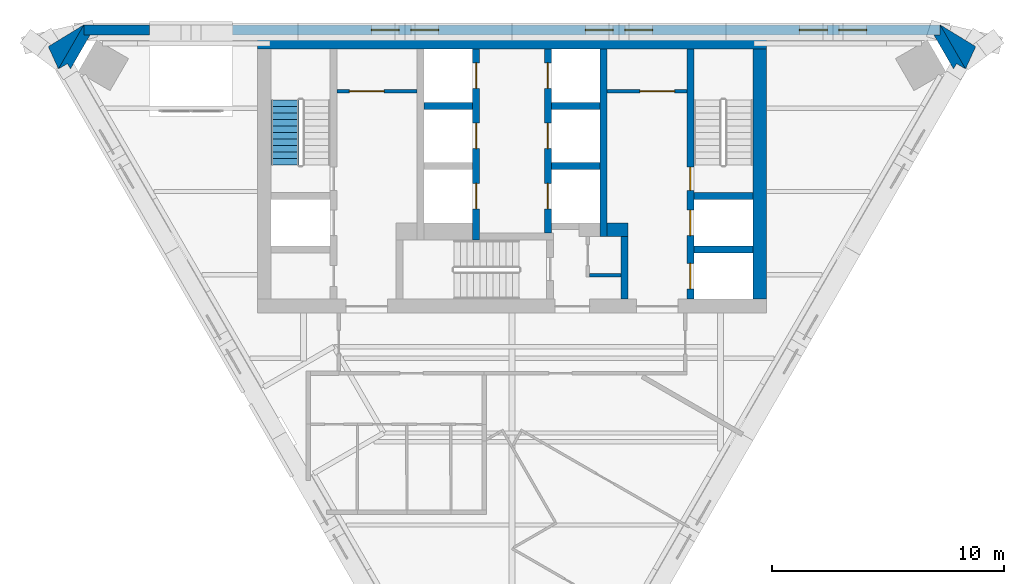
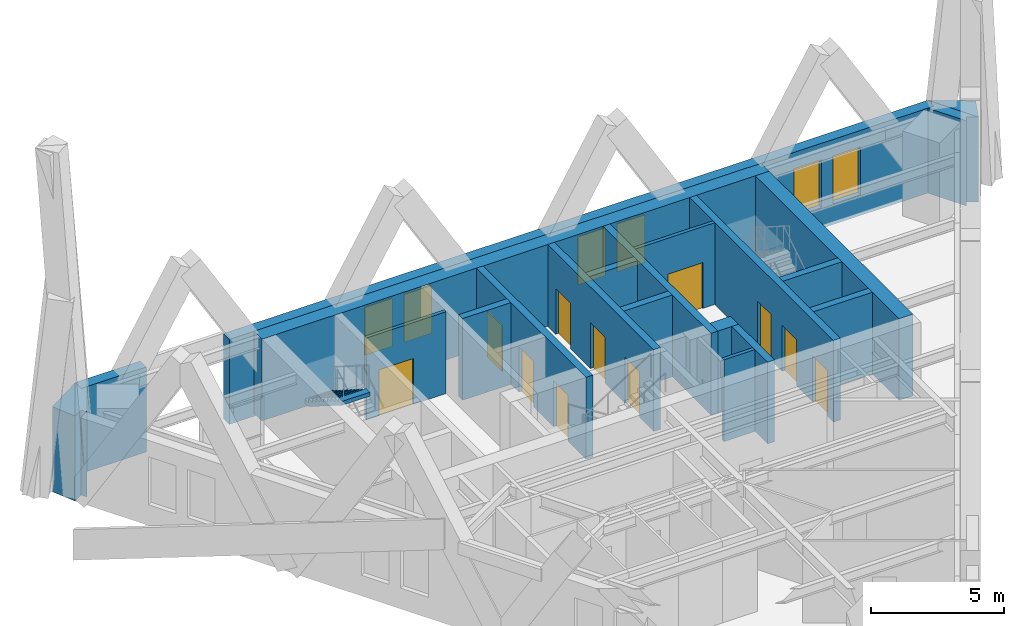
# One storey, part 6 of 9: 22 walls, 11 doors, 6 windows, 1 stair flight, 17 openings, 1 element without a shape of its own.
"""IFC4 building model written with IfcOpenShell, lengths in metres."""

import ifcopenshell
import ifcopenshell.guid

model = None  # the IFC model being written
_history = None  # IfcOwnerHistory: only IFC2X3 demands one
_inside = {}  # id of a spatial element -> (the spatial element, [elements in it])
_under = {}  # id of a project, library or spatial element -> (it, [spatial elements below it])
_declared = {}  # id of a project -> (the project, [libraries it declares])
_typed = {}  # id of a type object -> (the type object, [elements of that type])
_made_of = {}  # id of a material, layer set ... -> (it, [elements and type objects made of it])


def new_model(schema):
    """Start an empty IFC model of exactly this schema.

    Asked for "IFC4X3", IfcOpenShell would pick the latest addendum, in which some entities
    have other attributes; the version numbers below select the first issue.
    IFC2X3 requires an IfcOwnerHistory on every rooted entity: one is made here for all.
    """
    global model, _history
    if schema == "IFC4X3":
        model = ifcopenshell.file(schema_version=(4, 3, 0, 0))
    else:
        model = ifcopenshell.file(schema=schema)
    _inside.clear()
    _under.clear()
    _declared.clear()
    _typed.clear()
    _made_of.clear()
    _history = None
    if model.schema == "IFC2X3":
        org = make("IfcOrganization", Name="unknown")
        user = make(
            "IfcPersonAndOrganization",
            ThePerson=make("IfcPerson", FamilyName="unknown"),
            TheOrganization=org,
        )
        app = make(
            "IfcApplication",
            ApplicationDeveloper=org,
            Version="unknown",
            ApplicationFullName="unknown",
            ApplicationIdentifier="unknown",
        )
        _history = make(
            "IfcOwnerHistory",
            OwningUser=user,
            OwningApplication=app,
            ChangeAction="ADDED",
            CreationDate=0,
        )
    return model


def make(cls, **values):
    """One entity of the class cls with the attributes given. An attribute that is None is left unset."""
    return model.create_entity(
        cls, **{name: value for name, value in values.items() if value is not None}
    )


def rooted(cls, **values):
    """An entity with a GlobalId (a new one), such as an element, a storey or a relation."""
    return make(cls, GlobalId=ifcopenshell.guid.new(), OwnerHistory=_history, **values)


def si_unit(unit_type, name, prefix=None):
    """IfcSIUnit, for example si_unit("LENGTHUNIT", "METRE", prefix="MILLI")."""
    return make("IfcSIUnit", UnitType=unit_type, Prefix=prefix, Name=name)


def assignment(units):
    """IfcUnitAssignment: the units of a project."""
    return None if units is None else make("IfcUnitAssignment", Units=units)


def point(xyz):
    """IfcCartesianPoint."""
    return None if xyz is None else make("IfcCartesianPoint", Coordinates=xyz)


def direction(xyz):
    """IfcDirection."""
    return None if xyz is None else make("IfcDirection", DirectionRatios=xyz)


def frame(location, z_axis=None, x_axis=None):
    """IfcAxis2Placement3D, a coordinate frame: its origin and axes. An axis left out is left unset."""
    return make(
        "IfcAxis2Placement3D",
        Location=point(location),
        Axis=direction(z_axis),
        RefDirection=direction(x_axis),
    )


def frame_2d(location, x_axis=None):
    """IfcAxis2Placement2D, a coordinate frame in the plane: its origin and x axis."""
    return make(
        "IfcAxis2Placement2D", Location=point(location), RefDirection=direction(x_axis)
    )


def origin():
    """The frame at (0, 0, 0) with its axes left unset."""
    return frame((0.0, 0.0, 0.0))


def place(relative_to, where):
    """IfcLocalPlacement: puts the frame where relative to a parent placement (None: the world)."""
    return make(
        "IfcLocalPlacement", PlacementRelTo=relative_to, RelativePlacement=where
    )


def context(
    kind, dimensions, precision=None, world=None, true_north=None, identifier=None
):
    """IfcGeometricRepresentationContext, for example the 3D "Model" context."""
    return make(
        "IfcGeometricRepresentationContext",
        ContextIdentifier=identifier,
        ContextType=kind,
        CoordinateSpaceDimension=dimensions,
        Precision=precision,
        WorldCoordinateSystem=world,
        TrueNorth=true_north,
    )


def subcontext(parent, identifier, kind, view, scale=None):
    """IfcGeometricRepresentationSubContext, for example "Body" below "Model"."""
    return make(
        "IfcGeometricRepresentationSubContext",
        ContextIdentifier=identifier,
        ContextType=kind,
        ParentContext=parent,
        TargetScale=scale,
        TargetView=view,
    )


def project(units=None, contexts=None):
    """IfcProject with its units and contexts."""
    return rooted(
        "IfcProject",
        Name="project",
        RepresentationContexts=contexts,
        UnitsInContext=assignment(units),
    )


def spatial(cls, under=None, at=None, **own):
    """A site, building, storey or space (cls), placed at a placement, below another one or the project."""
    s = rooted(cls, ObjectPlacement=at, **own)
    if under is not None:
        _under.setdefault(under.id(), (under, []))[1].append(s)
    return s


def polyline(points):
    """IfcPolyline through the points."""
    return make("IfcPolyline", Points=[point(p) for p in points])


def profile(cls, at=None, kind="AREA", **sizes):
    """A parametric profile (cls). Its sizes go by their IFC names, for example OverallWidth=200.0."""
    return make(cls, ProfileType=kind, Position=at, **sizes)


def rectangle(**sizes):
    """IfcRectangleProfileDef."""
    return profile("IfcRectangleProfileDef", **sizes)


def outline(outer, holes=None, kind="AREA"):
    """IfcArbitraryClosedProfileDef: a profile drawn as a closed curve; with holes, ...WithVoids."""
    if holes is None:
        return make("IfcArbitraryClosedProfileDef", ProfileType=kind, OuterCurve=outer)
    return make(
        "IfcArbitraryProfileDefWithVoids",
        ProfileType=kind,
        OuterCurve=outer,
        InnerCurves=holes,
    )


def extrude(swept, where, along, depth):
    """IfcExtrudedAreaSolid: the profile swept, set in the frame where, extruded along a direction by depth."""
    return make(
        "IfcExtrudedAreaSolid",
        SweptArea=swept,
        Position=where,
        ExtrudedDirection=direction(along),
        Depth=depth,
    )


def shape(context_of_items, identifier, shape_type, items):
    """IfcShapeRepresentation: the items that make up one representation, for example the "Body"."""
    return make(
        "IfcShapeRepresentation",
        ContextOfItems=context_of_items,
        RepresentationIdentifier=identifier,
        RepresentationType=shape_type,
        Items=items,
    )


def material(Name=None, Category=None):
    """IfcMaterial."""
    return make("IfcMaterial", Name=Name, Category=Category)


def layer(
    of_material, thickness, ventilated=None, Name=None, Category=None, Priority=None
):
    """IfcMaterialLayer: one layer of a wall or slab, of a material (None: an air gap)."""
    return make(
        "IfcMaterialLayer",
        Material=of_material,
        LayerThickness=thickness,
        IsVentilated=ventilated,
        Name=Name,
        Category=Category,
        Priority=Priority,
    )


def layer_set(layers, Name=None):
    """IfcMaterialLayerSet."""
    return make("IfcMaterialLayerSet", MaterialLayers=layers, LayerSetName=Name)


def made_of(thing, what):
    """Note that an element or type object is made of a material, layer set ...; save() writes the relation."""
    if what is not None:
        _made_of.setdefault(what.id(), (what, []))[1].append(thing)
    return thing


def type_object(cls, material=None, **own):
    """A type object (cls), such as IfcWallType, which elements share."""
    return made_of(rooted(cls, **own), material)


def element(
    cls,
    number,
    at=None,
    inside=None,
    cuts=None,
    type_object=None,
    material=None,
    context=None,
    identifier="Body",
    shape_type=None,
    held_by="IfcProductDefinitionShape",
    body=None,
    shapes=None,
    **own,
):
    """One element of the class cls, such as IfcWall. Its Tag is "e" and its number.

    at: its placement. inside: the storey or other place that contains it. cuts: it is an
    opening in that element (IfcRelVoidsElement). A single representation is given by context,
    identifier, shape_type and body (its items); several are given by shapes. held_by: the class
    of the entity that holds the representations. save() writes the other relations.
    """
    e = rooted(cls, Tag="e%d" % number, ObjectPlacement=at, **own)
    if body is not None:
        shapes = [shape(context, identifier, shape_type, body)]
    if shapes is not None:
        e.Representation = make(held_by, Representations=shapes)
    if inside is not None:
        _inside.setdefault(inside.id(), (inside, []))[1].append(e)
    if cuts is not None:
        rooted(
            "IfcRelVoidsElement", RelatingBuildingElement=cuts, RelatedOpeningElement=e
        )
    if type_object is not None:
        _typed.setdefault(type_object.id(), (type_object, []))[1].append(e)
    return made_of(e, material)


def fill(opening, filler):
    """IfcRelFillsElement: the door or window that sits in an opening."""
    return rooted(
        "IfcRelFillsElement",
        RelatingOpeningElement=opening,
        RelatedBuildingElement=filler,
    )


def aggregate(whole, parts):
    """IfcRelAggregates: a whole, such as a stair, and the parts it consists of."""
    return rooted("IfcRelAggregates", RelatingObject=whole, RelatedObjects=parts)


def save(model, path):
    """Write the relations noted so far, then the file.

    IfcRelAggregates (storeys below a building ...), IfcRelContainedInSpatialStructure (elements
    in a storey), IfcRelDefinesByType, IfcRelAssociatesMaterial and IfcRelDeclares: one each for
    every whole, place, type object, material and project.
    """
    for whole, parts in _under.values():
        aggregate(whole, parts)
    for where, things in _inside.values():
        rooted(
            "IfcRelContainedInSpatialStructure",
            RelatedElements=things,
            RelatingStructure=where,
        )
    for kind, things in _typed.values():
        rooted("IfcRelDefinesByType", RelatedObjects=things, RelatingType=kind)
    for what, things in _made_of.values():
        rooted("IfcRelAssociatesMaterial", RelatedObjects=things, RelatingMaterial=what)
    for by, libraries in _declared.values():
        rooted("IfcRelDeclares", RelatingContext=by, RelatedDefinitions=libraries)
    model.write(path)


model = new_model("IFC4")

# Units and contexts
model_context = context("Model", 3, precision=1e-05, world=origin(), true_north=direction((0.0, 1.0)))
body_context = subcontext(model_context, "Body", "Model", "MODEL_VIEW")
ifc_project = project(units=[si_unit("LENGTHUNIT", "METRE"), si_unit("AREAUNIT", "SQUARE_METRE"), si_unit("VOLUMEUNIT", "CUBIC_METRE"), si_unit("PLANEANGLEUNIT", "RADIAN"), si_unit("MASSUNIT", "GRAM", prefix="KILO")], contexts=[model_context])

# Site, building, storey
site_placement = place(None, origin())
site = spatial("IfcSite", under=ifc_project, at=site_placement, CompositionType="ELEMENT")
building_placement = place(site_placement, origin())
building = spatial("IfcBuilding", under=site, at=building_placement, Name="Aloe Facet Convention Tower", CompositionType="ELEMENT")
storey_placement = place(building_placement, frame((0.0, 0.0, 254.300048828125)))
storey = spatial("IfcBuildingStorey", under=building, at=storey_placement, Name="L62", CompositionType="ELEMENT", Elevation=254.300048828125)

# Wall, opening, door
ifc_material_1 = material(Name="Concrete blockwork partition", Category="masonry")
ifc_layer_1 = layer(ifc_material_1, 0.14990234375)
ifc_layer_set_1 = layer_set([ifc_layer_1], Name="CR-W-PART150")
wall_type_1 = type_object("IfcWallType", Name="CR-W-PART150", PredefinedType="PARTITIONING", material=ifc_layer_set_1)
wall_1_placement = place(storey_placement, frame((72.449951171875, 132.125, 0.0), z_axis=(0.0, 0.0, 1.0), x_axis=(1.0, 0.0, 0.0)))
wall_1 = element("IfcWall", 1, at=wall_1_placement, inside=storey, type_object=wall_type_1, Name="Core partition L62-007", PredefinedType="PARTITIONING", context=body_context, shape_type="SweptSolid", body=[
    extrude(rectangle(XDim=3.449951171875, YDim=0.14990234375, at=frame_2d((1.72509765625, 0.0))), origin(), (0.0, 0.0, 1.0), 3.75),
])
opening_1_placement = place(wall_1_placement, frame((0.52490234375, 0.0, 0.0)))
opening_1 = element("IfcOpeningElement", 2, at=opening_1_placement, cuts=wall_1, Name="Opening L62-CD14", PredefinedType="OPENING", context=body_context, shape_type="SweptSolid", body=[
    extrude(rectangle(XDim=1.5, YDim=2.10009765625, at=frame_2d((0.75, 1.050048828125))), frame((0.0, 0.0849609375, 0.0), z_axis=(0.0, -1.0, 0.0), x_axis=(1.0, 0.0, 0.0)), (0.0, 0.0, 1.0), 0.169921875),
])
ifc_material_2 = material(Name="Steel fire-resisting door set FD60", Category="steel")
door_type_1 = type_object("IfcDoorType", Name="CR-D-REFUGE-1500-FD60-DD", OperationType="DOUBLE_DOOR_DOUBLE_SWING", PredefinedType="DOOR", material=ifc_material_2)
door_1_placement = place(opening_1_placement, origin())
door_1 = element("IfcDoor", 3, at=door_1_placement, inside=storey, type_object=door_type_1, Name="Core door L62-CD14", OperationType="DOUBLE_DOOR_DOUBLE_SWING", OverallHeight=2.10009765625, OverallWidth=1.5, PredefinedType="DOOR", context=body_context, shape_type="SweptSolid", body=[
    extrude(rectangle(XDim=1.5, YDim=2.10009765625, at=frame_2d((0.75, 1.050048828125))), frame((0.0, 0.02490234375, 0.0), z_axis=(0.0, -1.0, 0.0), x_axis=(1.0, 0.0, 0.0)), (0.0, 0.0, 1.0), 0.050048828125),
])
fill(opening_1, door_1)

# Wall
wall_2_placement = place(storey_placement, frame((83.35009765625, 124.175048828125, 0.0), z_axis=(0.0, 0.0, 1.0), x_axis=(1.0, 0.0, 0.0)))
element("IfcWall", 4, at=wall_2_placement, inside=storey, type_object=wall_type_1, Name="Core partition L62-023", PredefinedType="PARTITIONING", context=body_context, shape_type="SweptSolid", body=[
    extrude(rectangle(XDim=1.349853515625, YDim=0.14990234375, at=frame_2d((0.6748046875, 0.0))), origin(), (0.0, 0.0, 1.0), 3.75),
])

# Wall, opening, door
wall_3_placement = place(storey_placement, frame((84.10009765625, 132.125, 0.0), z_axis=(0.0, 0.0, 1.0), x_axis=(1.0, 0.0, 0.0)))
wall_3 = element("IfcWall", 5, at=wall_3_placement, inside=storey, type_object=wall_type_1, Name="Core partition L62-025", PredefinedType="PARTITIONING", context=body_context, shape_type="SweptSolid", body=[
    extrude(rectangle(XDim=3.449951171875, YDim=0.14990234375, at=frame_2d((1.72509765625, 0.0))), origin(), (0.0, 0.0, 1.0), 3.75),
])
opening_2_placement = place(wall_3_placement, frame((1.425048828125, 0.0, 0.0)))
opening_2 = element("IfcOpeningElement", 6, at=opening_2_placement, cuts=wall_3, Name="Opening L62-CD13", PredefinedType="OPENING", context=body_context, shape_type="SweptSolid", body=[
    extrude(rectangle(XDim=1.5, YDim=2.10009765625, at=frame_2d((0.75, 1.050048828125))), frame((0.0, 0.0849609375, 0.0), z_axis=(0.0, -1.0, 0.0), x_axis=(1.0, 0.0, 0.0)), (0.0, 0.0, 1.0), 0.169921875),
])
door_2_placement = place(opening_2_placement, origin())
door_2 = element("IfcDoor", 7, at=door_2_placement, inside=storey, type_object=door_type_1, Name="Core door L62-CD13", OperationType="DOUBLE_DOOR_DOUBLE_SWING", OverallHeight=2.10009765625, OverallWidth=1.5, PredefinedType="DOOR", context=body_context, shape_type="SweptSolid", body=[
    extrude(rectangle(XDim=1.5, YDim=2.10009765625, at=frame_2d((0.75, 1.050048828125))), frame((0.0, 0.02490234375, 0.0), z_axis=(0.0, -1.0, 0.0), x_axis=(1.0, 0.0, 0.0)), (0.0, 0.0, 1.0), 0.050048828125),
])
fill(opening_2, door_2)

# Wall
ifc_material_3 = material(Name="Concrete C50/60", Category="concrete")
ifc_layer_2 = layer(ifc_material_3, 0.300048828125)
ifc_layer_set_2 = layer_set([ifc_layer_2], Name="CR-W-RC300-C5060")
wall_type_2 = type_object("IfcWallType", Name="CR-W-RC300-C5060", PredefinedType="SOLIDWALL", material=ifc_layer_set_2)
wall_4_placement = place(storey_placement, frame((76.199951171875, 131.5, 0.0), z_axis=(0.0, 0.0, 1.0), x_axis=(1.0, 0.0, 0.0)))
element("IfcWall", 8, at=wall_4_placement, inside=storey, type_object=wall_type_2, Name="Core wall L62-011", PredefinedType="SOLIDWALL", context=body_context, shape_type="SweptSolid", body=[
    extrude(rectangle(XDim=2.10009765625, YDim=0.300048828125, at=frame_2d((1.050048828125, 0.0))), origin(), (0.0, 0.0, 1.0), 3.75),
])

# Wall, openings, doors
wall_5_placement = place(storey_placement, frame((78.449951171875, 133.949951171875, 0.0), z_axis=(0.0, 0.0, 1.0), x_axis=(0.0, -1.0, 0.0)))
wall_5 = element("IfcWall", 9, at=wall_5_placement, inside=storey, type_object=wall_type_2, Name="Core wall L62-014", PredefinedType="SOLIDWALL", context=body_context, shape_type="SweptSolid", body=[
    extrude(rectangle(XDim=8.25, YDim=0.300048828125, at=frame_2d((4.125, 0.0))), origin(), (0.0, 0.0, 1.0), 3.75),
])
opening_3_placement = place(wall_5_placement, frame((0.60009765625, 0.0, 0.0)))
opening_3 = element("IfcOpeningElement", 10, at=opening_3_placement, cuts=wall_5, Name="Opening LD-B1-L62", PredefinedType="OPENING", context=body_context, shape_type="SweptSolid", body=[
    extrude(rectangle(XDim=1.10009765625, YDim=2.10009765625, at=frame_2d((0.550048828125, 1.050048828125))), frame((0.0, 0.16015625, 0.0), z_axis=(0.0, -1.0, 0.0), x_axis=(1.0, 0.0, 0.0)), (0.0, 0.0, 1.0), 0.320068359375),
])
opening_4_placement = place(wall_5_placement, frame((3.199951171875, 0.0, 0.0)))
opening_4 = element("IfcOpeningElement", 11, at=opening_4_placement, cuts=wall_5, Name="Opening LD-B2-L62", PredefinedType="OPENING", context=body_context, shape_type="SweptSolid", body=[
    extrude(rectangle(XDim=1.10009765625, YDim=2.10009765625, at=frame_2d((0.550048828125, 1.050048828125))), frame((0.0, 0.16015625, 0.0), z_axis=(0.0, -1.0, 0.0), x_axis=(1.0, 0.0, 0.0)), (0.0, 0.0, 1.0), 0.320068359375),
])
opening_5_placement = place(wall_5_placement, frame((5.800048828125, 0.0, 0.0)))
opening_5 = element("IfcOpeningElement", 12, at=opening_5_placement, cuts=wall_5, Name="Opening LD-B3-L62", PredefinedType="OPENING", context=body_context, shape_type="SweptSolid", body=[
    extrude(rectangle(XDim=1.10009765625, YDim=2.10009765625, at=frame_2d((0.550048828125, 1.050048828125))), frame((0.0, 0.16015625, 0.0), z_axis=(0.0, -1.0, 0.0), x_axis=(1.0, 0.0, 0.0)), (0.0, 0.0, 1.0), 0.320068359375),
])
ifc_material_4 = material(Name="Stainless steel sliding landing door", Category="steel")
door_type_2 = type_object("IfcDoorType", Name="CR-LD-1100-FD60-RIGHT", OperationType="SLIDING_TO_RIGHT", PredefinedType="DOOR", material=ifc_material_4)
door_3_placement = place(opening_3_placement, origin())
door_3 = element("IfcDoor", 13, at=door_3_placement, inside=storey, type_object=door_type_2, Name="Landing door B1 L62", OperationType="SLIDING_TO_RIGHT", OverallHeight=2.10009765625, OverallWidth=1.10009765625, PredefinedType="DOOR", context=body_context, shape_type="SweptSolid", body=[
    extrude(rectangle(XDim=1.10009765625, YDim=2.10009765625, at=frame_2d((0.550048828125, 1.050048828125))), frame((0.0, 0.02490234375, 0.0), z_axis=(0.0, -1.0, 0.0), x_axis=(1.0, 0.0, 0.0)), (0.0, 0.0, 1.0), 0.050048828125),
])
fill(opening_3, door_3)
door_4_placement = place(opening_4_placement, origin())
door_4 = element("IfcDoor", 14, at=door_4_placement, inside=storey, type_object=door_type_2, Name="Landing door B2 L62", OperationType="SLIDING_TO_RIGHT", OverallHeight=2.10009765625, OverallWidth=1.10009765625, PredefinedType="DOOR", context=body_context, shape_type="SweptSolid", body=[
    extrude(rectangle(XDim=1.10009765625, YDim=2.10009765625, at=frame_2d((0.550048828125, 1.050048828125))), frame((0.0, 0.02490234375, 0.0), z_axis=(0.0, -1.0, 0.0), x_axis=(1.0, 0.0, 0.0)), (0.0, 0.0, 1.0), 0.050048828125),
])
fill(opening_4, door_4)
door_5_placement = place(opening_5_placement, origin())
door_5 = element("IfcDoor", 15, at=door_5_placement, inside=storey, type_object=door_type_2, Name="Landing door B3 L62", OperationType="SLIDING_TO_RIGHT", OverallHeight=2.10009765625, OverallWidth=1.10009765625, PredefinedType="DOOR", context=body_context, shape_type="SweptSolid", body=[
    extrude(rectangle(XDim=1.10009765625, YDim=2.10009765625, at=frame_2d((0.550048828125, 1.050048828125))), frame((0.0, 0.02490234375, 0.0), z_axis=(0.0, -1.0, 0.0), x_axis=(1.0, 0.0, 0.0)), (0.0, 0.0, 1.0), 0.050048828125),
])
fill(opening_5, door_5)

wall_6_placement = place(storey_placement, frame((81.550048828125, 133.949951171875, 0.0), z_axis=(0.0, 0.0, 1.0), x_axis=(0.0, -1.0, 0.0)))
wall_6 = element("IfcWall", 16, at=wall_6_placement, inside=storey, type_object=wall_type_2, Name="Core wall L62-016", PredefinedType="SOLIDWALL", context=body_context, shape_type="SweptSolid", body=[
    extrude(rectangle(XDim=7.949951171875, YDim=0.300048828125, at=frame_2d((3.97509765625, 0.0))), origin(), (0.0, 0.0, 1.0), 3.75),
])
opening_6_placement = place(wall_6_placement, frame((0.60009765625, 0.0, 0.0)))
opening_6 = element("IfcOpeningElement", 17, at=opening_6_placement, cuts=wall_6, Name="Opening LD-B4-L62", PredefinedType="OPENING", context=body_context, shape_type="SweptSolid", body=[
    extrude(rectangle(XDim=1.10009765625, YDim=2.10009765625, at=frame_2d((0.550048828125, 1.050048828125))), frame((0.0, 0.16015625, 0.0), z_axis=(0.0, -1.0, 0.0), x_axis=(1.0, 0.0, 0.0)), (0.0, 0.0, 1.0), 0.320068359375),
])
opening_7_placement = place(wall_6_placement, frame((3.199951171875, 0.0, 0.0)))
opening_7 = element("IfcOpeningElement", 18, at=opening_7_placement, cuts=wall_6, Name="Opening LD-B5-L62", PredefinedType="OPENING", context=body_context, shape_type="SweptSolid", body=[
    extrude(rectangle(XDim=1.10009765625, YDim=2.10009765625, at=frame_2d((0.550048828125, 1.050048828125))), frame((0.0, 0.16015625, 0.0), z_axis=(0.0, -1.0, 0.0), x_axis=(1.0, 0.0, 0.0)), (0.0, 0.0, 1.0), 0.320068359375),
])
opening_8_placement = place(wall_6_placement, frame((5.800048828125, 0.0, 0.0)))
opening_8 = element("IfcOpeningElement", 19, at=opening_8_placement, cuts=wall_6, Name="Opening LD-B6-L62", PredefinedType="OPENING", context=body_context, shape_type="SweptSolid", body=[
    extrude(rectangle(XDim=1.10009765625, YDim=2.10009765625, at=frame_2d((0.550048828125, 1.050048828125))), frame((0.0, 0.16015625, 0.0), z_axis=(0.0, -1.0, 0.0), x_axis=(1.0, 0.0, 0.0)), (0.0, 0.0, 1.0), 0.320068359375),
])
ifc_material_5 = material(Name="Stainless steel sliding landing door", Category="steel")
door_type_3 = type_object("IfcDoorType", Name="CR-LD-1100-FD60-_LEFT", OperationType="SLIDING_TO_LEFT", PredefinedType="DOOR", material=ifc_material_5)
door_6_placement = place(opening_6_placement, origin())
door_6 = element("IfcDoor", 20, at=door_6_placement, inside=storey, type_object=door_type_3, Name="Landing door B4 L62", OperationType="SLIDING_TO_LEFT", OverallHeight=2.10009765625, OverallWidth=1.10009765625, PredefinedType="DOOR", context=body_context, shape_type="SweptSolid", body=[
    extrude(rectangle(XDim=1.10009765625, YDim=2.10009765625, at=frame_2d((0.550048828125, 1.050048828125))), frame((0.0, 0.02490234375, 0.0), z_axis=(0.0, -1.0, 0.0), x_axis=(1.0, 0.0, 0.0)), (0.0, 0.0, 1.0), 0.050048828125),
])
fill(opening_6, door_6)
door_7_placement = place(opening_7_placement, origin())
door_7 = element("IfcDoor", 21, at=door_7_placement, inside=storey, type_object=door_type_3, Name="Landing door B5 L62", OperationType="SLIDING_TO_LEFT", OverallHeight=2.10009765625, OverallWidth=1.10009765625, PredefinedType="DOOR", context=body_context, shape_type="SweptSolid", body=[
    extrude(rectangle(XDim=1.10009765625, YDim=2.10009765625, at=frame_2d((0.550048828125, 1.050048828125))), frame((0.0, 0.02490234375, 0.0), z_axis=(0.0, -1.0, 0.0), x_axis=(1.0, 0.0, 0.0)), (0.0, 0.0, 1.0), 0.050048828125),
])
fill(opening_7, door_7)
door_8_placement = place(opening_8_placement, origin())
door_8 = element("IfcDoor", 22, at=door_8_placement, inside=storey, type_object=door_type_3, Name="Landing door B6 L62", OperationType="SLIDING_TO_LEFT", OverallHeight=2.10009765625, OverallWidth=1.10009765625, PredefinedType="DOOR", context=body_context, shape_type="SweptSolid", body=[
    extrude(rectangle(XDim=1.10009765625, YDim=2.10009765625, at=frame_2d((0.550048828125, 1.050048828125))), frame((0.0, 0.02490234375, 0.0), z_axis=(0.0, -1.0, 0.0), x_axis=(1.0, 0.0, 0.0)), (0.0, 0.0, 1.0), 0.050048828125),
])
fill(opening_8, door_8)

# Walls
for number, where, z_axis, x_axis, name in (
    (23, (81.699951171875, 131.5, 0.0), (0.0, 0.0, 1.0), (1.0, 0.0, 0.0), "Core wall L62-018"),
    (24, (81.699951171875, 128.89990234375, 0.0), (0.0, 0.0, 1.0), (1.0, 0.0, 0.0), "Core wall L62-019"),
):
    element("IfcWall", number, at=place(storey_placement, frame(where, z_axis=z_axis, x_axis=x_axis)), inside=storey, type_object=wall_type_2, Name=name, PredefinedType="SOLIDWALL", context=body_context, shape_type="SweptSolid", body=[
        extrude(rectangle(XDim=2.10009765625, YDim=0.300048828125, at=frame_2d((1.050048828125, 0.0))), origin(), (0.0, 0.0, 1.0), 3.75),
    ])
wall_7_placement = place(storey_placement, frame((83.949951171875, 133.949951171875, 0.0), z_axis=(0.0, 0.0, 1.0), x_axis=(0.0, -1.0, 0.0)))
element("IfcWall", 25, at=wall_7_placement, inside=storey, type_object=wall_type_2, Name="Core wall L62-024", PredefinedType="SOLIDWALL", context=body_context, shape_type="SweptSolid", body=[
    extrude(rectangle(XDim=8.099853515625, YDim=0.300048828125, at=frame_2d((4.0498046875, 0.0))), origin(), (0.0, 0.0, 1.0), 3.75),
])
wall_8_placement = place(storey_placement, frame((84.85009765625, 125.85009765625, 0.0), z_axis=(0.0, 0.0, 1.0), x_axis=(0.0, -1.0, 0.0)))
element("IfcWall", 26, at=wall_8_placement, inside=storey, type_object=wall_type_2, Name="Core wall L62-027", PredefinedType="SOLIDWALL", context=body_context, shape_type="SweptSolid", body=[
    extrude(rectangle(XDim=2.7001953125, YDim=0.300048828125, at=frame_2d((1.35009765625, 0.0))), origin(), (0.0, 0.0, 1.0), 3.75),
])

# Wall, openings, doors
wall_9_placement = place(storey_placement, frame((87.699951171875, 133.949951171875, 0.0), z_axis=(0.0, 0.0, 1.0), x_axis=(0.0, -1.0, 0.0)))
wall_9 = element("IfcWall", 27, at=wall_9_placement, inside=storey, type_object=wall_type_2, Name="Core wall L62-028", PredefinedType="SOLIDWALL", context=body_context, shape_type="SweptSolid", body=[
    extrude(rectangle(XDim=10.800048828125, YDim=0.300048828125, at=frame_2d((5.39990234375, 0.0))), origin(), (0.0, 0.0, 1.0), 3.75),
])
opening_9_placement = place(wall_9_placement, frame((6.949951171875, 0.0, 0.0)))
opening_9 = element("IfcOpeningElement", 28, at=opening_9_placement, cuts=wall_9, Name="Opening LD-FF2-L62", PredefinedType="OPENING", context=body_context, shape_type="SweptSolid", body=[
    extrude(rectangle(XDim=1.10009765625, YDim=2.10009765625, at=frame_2d((0.550048828125, 1.050048828125))), frame((0.0, 0.16015625, 0.0), z_axis=(0.0, -1.0, 0.0), x_axis=(1.0, 0.0, 0.0)), (0.0, 0.0, 1.0), 0.320068359375),
])
opening_10_placement = place(wall_9_placement, frame((5.10009765625, 0.0, 0.0)))
opening_10 = element("IfcOpeningElement", 29, at=opening_10_placement, cuts=wall_9, Name="Opening L62-CD17", PredefinedType="OPENING", context=body_context, shape_type="SweptSolid", body=[
    extrude(rectangle(XDim=1.0, YDim=2.10009765625, at=frame_2d((0.5, 1.050048828125))), frame((0.0, 0.16015625, 0.0), z_axis=(0.0, -1.0, 0.0), x_axis=(1.0, 0.0, 0.0)), (0.0, 0.0, 1.0), 0.320068359375),
])
opening_11_placement = place(wall_9_placement, frame((9.25, 0.0, 0.0)))
opening_11 = element("IfcOpeningElement", 30, at=opening_11_placement, cuts=wall_9, Name="Opening LD-SV1-L62", PredefinedType="OPENING", context=body_context, shape_type="SweptSolid", body=[
    extrude(rectangle(XDim=1.10009765625, YDim=2.10009765625, at=frame_2d((0.550048828125, 1.050048828125))), frame((0.0, 0.16015625, 0.0), z_axis=(0.0, -1.0, 0.0), x_axis=(1.0, 0.0, 0.0)), (0.0, 0.0, 1.0), 0.320068359375),
])
ifc_material_6 = material(Name="Steel fire-resisting door set FD120", Category="steel")
door_type_4 = type_object("IfcDoorType", Name="CR-D-STAIR-1000-FD120-SLEFT", OperationType="SINGLE_SWING_LEFT", PredefinedType="DOOR", material=ifc_material_6)
door_9_placement = place(opening_10_placement, origin())
door_9 = element("IfcDoor", 31, at=door_9_placement, inside=storey, type_object=door_type_4, Name="Core door L62-CD17", OperationType="SINGLE_SWING_LEFT", OverallHeight=2.10009765625, OverallWidth=1.0, PredefinedType="DOOR", context=body_context, shape_type="SweptSolid", body=[
    extrude(rectangle(XDim=1.0, YDim=2.10009765625, at=frame_2d((0.5, 1.050048828125))), frame((0.0, 0.02490234375, 0.0), z_axis=(0.0, -1.0, 0.0), x_axis=(1.0, 0.0, 0.0)), (0.0, 0.0, 1.0), 0.050048828125),
])
fill(opening_10, door_9)
ifc_material_7 = material(Name="Stainless steel sliding landing door", Category="steel")
door_type_5 = type_object("IfcDoorType", Name="CR-LD-1100-FD120-_LEFT", OperationType="SLIDING_TO_LEFT", PredefinedType="DOOR", material=ifc_material_7)
door_10_placement = place(opening_9_placement, origin())
door_10 = element("IfcDoor", 32, at=door_10_placement, inside=storey, type_object=door_type_5, Name="Landing door FF2 L62", OperationType="SLIDING_TO_LEFT", OverallHeight=2.10009765625, OverallWidth=1.10009765625, PredefinedType="DOOR", context=body_context, shape_type="SweptSolid", body=[
    extrude(rectangle(XDim=1.10009765625, YDim=2.10009765625, at=frame_2d((0.550048828125, 1.050048828125))), frame((0.0, 0.02490234375, 0.0), z_axis=(0.0, -1.0, 0.0), x_axis=(1.0, 0.0, 0.0)), (0.0, 0.0, 1.0), 0.050048828125),
])
fill(opening_9, door_10)
door_11_placement = place(opening_11_placement, origin())
door_11 = element("IfcDoor", 33, at=door_11_placement, inside=storey, type_object=door_type_5, Name="Landing door SV1 L62", OperationType="SLIDING_TO_LEFT", OverallHeight=2.10009765625, OverallWidth=1.10009765625, PredefinedType="DOOR", context=body_context, shape_type="SweptSolid", body=[
    extrude(rectangle(XDim=1.10009765625, YDim=2.10009765625, at=frame_2d((0.550048828125, 1.050048828125))), frame((0.0, 0.02490234375, 0.0), z_axis=(0.0, -1.0, 0.0), x_axis=(1.0, 0.0, 0.0)), (0.0, 0.0, 1.0), 0.050048828125),
])
fill(opening_11, door_11)

# Walls
for number, where, z_axis, x_axis, name in (
    (34, (87.85009765625, 127.60009765625, 0.0), (0.0, 0.0, 1.0), (1.0, 0.0, 0.0), "Core wall L62-029"),
    (35, (87.85009765625, 125.300048828125, 0.0), (0.0, 0.0, 1.0), (1.0, 0.0, 0.0), "Core wall L62-030"),
):
    element("IfcWall", number, at=place(storey_placement, frame(where, z_axis=z_axis, x_axis=x_axis)), inside=storey, type_object=wall_type_2, Name=name, PredefinedType="SOLIDWALL", context=body_context, shape_type="SweptSolid", body=[
        extrude(rectangle(XDim=2.5498046875, YDim=0.300048828125, at=frame_2d((1.27490234375, 0.0))), origin(), (0.0, 0.0, 1.0), 3.75),
    ])
ifc_material_8 = material(Name="Concrete C50/60", Category="concrete")
ifc_layer_3 = layer(ifc_material_8, 0.60009765625)
ifc_layer_set_3 = layer_set([ifc_layer_3], Name="CR-W-RC600-C5060")
wall_type_3 = type_object("IfcWallType", Name="CR-W-RC600-C5060", PredefinedType="SOLIDWALL", material=ifc_layer_set_3)
wall_10_placement = place(storey_placement, frame((69.0, 134.25, 0.0), z_axis=(0.0, 0.0, 1.0), x_axis=(1.0, 0.0, 0.0)))
element("IfcWall", 36, at=wall_10_placement, inside=storey, type_object=wall_type_3, Name="Core wall L62-001", PredefinedType="SOLIDWALL", context=body_context, shape_type="SweptSolid", body=[
    extrude(rectangle(XDim=22.0, YDim=0.60009765625, at=frame_2d((11.0, 0.0))), origin(), (0.0, 0.0, 1.0), 3.75),
])
wall_11_placement = place(storey_placement, frame((84.10009765625, 126.14990234375, 0.0), z_axis=(0.0, 0.0, 1.0), x_axis=(1.0, 0.0, 0.0)))
element("IfcWall", 37, at=wall_11_placement, inside=storey, type_object=wall_type_3, Name="Core wall L62-026", PredefinedType="SOLIDWALL", context=body_context, shape_type="SweptSolid", body=[
    extrude(rectangle(XDim=0.89990234375, YDim=0.60009765625, at=frame_2d((0.449951171875, 0.0))), origin(), (0.0, 0.0, 1.0), 3.75),
])
wall_12_placement = place(storey_placement, frame((90.699951171875, 133.949951171875, 0.0), z_axis=(0.0, 0.0, 1.0), x_axis=(0.0, -1.0, 0.0)))
element("IfcWall", 38, at=wall_12_placement, inside=storey, type_object=wall_type_3, Name="Core wall L62-031", PredefinedType="SOLIDWALL", context=body_context, shape_type="SweptSolid", body=[
    extrude(rectangle(XDim=10.800048828125, YDim=0.60009765625, at=frame_2d((5.39990234375, 0.0))), origin(), (0.0, 0.0, 1.0), 3.75),
])
ifc_material_9 = material(Name="Precast concrete C40/50", Category="concrete")
ifc_layer_4 = layer(ifc_material_9, 0.449951171875)
ifc_layer_set_4 = layer_set([ifc_layer_4], Name="EV-WALL-PIER")
wall_type_4 = type_object("IfcWallType", Name="EV-WALL-PIER", PredefinedType="SOLIDWALL", material=ifc_layer_set_4)
wall_13_placement = place(storey_placement, frame((0.0, 0.0, -0.150146484375)))
element("IfcWall", 39, at=wall_13_placement, inside=storey, type_object=wall_type_4, Name="EP-L62-A", PredefinedType="SOLIDWALL", context=body_context, shape_type="SweptSolid", body=[
    extrude(outline(polyline([(61.513916015625, 135.0), (61.513916015625, 134.550048828125), (61.773681640625, 134.550048828125), (60.933349609375, 133.0947265625), (60.803466796875, 133.31982421875), (60.413818359375, 133.0947265625), (61.513916015625, 135.0)])), origin(), (0.0, 0.0, 1.0), 3.900146484375),
])
wall_14_placement = place(storey_placement, frame((0.0, 0.0, -0.150146484375)))
element("IfcWall", 40, at=wall_14_placement, inside=storey, type_object=wall_type_4, Name="EP-L62-C", PredefinedType="SOLIDWALL", context=body_context, shape_type="SweptSolid", body=[
    extrude(outline(polyline([(99.586181640625, 133.0947265625), (99.196533203125, 133.31982421875), (99.066650390625, 133.0947265625), (98.226318359375, 134.550048828125), (98.486083984375, 134.550048828125), (98.486083984375, 135.0), (99.586181640625, 133.0947265625)])), origin(), (0.0, 0.0, 1.0), 3.900146484375),
])
ifc_material_10 = material(Name="Precast concrete C40/50", Category="concrete")
ifc_layer_5 = layer(ifc_material_10, 3.947998046875)
ifc_layer_set_5 = layer_set([ifc_layer_5], Name="EV-WALL-SPINE")
wall_type_5 = type_object("IfcWallType", Name="EV-WALL-SPINE", PredefinedType="SOLIDWALL", material=ifc_layer_set_5)
wall_15_placement = place(storey_placement, frame((0.0, 0.0, -0.150146484375)))
element("IfcWall", 41, at=wall_15_placement, inside=storey, type_object=wall_type_5, Name="SP-NW-L62", PredefinedType="SOLIDWALL", context=body_context, shape_type="SweptSolid", body=[
    extrude(outline(polyline([(61.513916015625, 135.0), (59.973876953125, 134.058349609375), (60.413818359375, 133.0947265625), (61.513916015625, 135.0)])), origin(), (0.0, 0.0, 1.0), 3.900146484375),
])
wall_16_placement = place(storey_placement, frame((0.0, 0.0, -0.150146484375)))
element("IfcWall", 42, at=wall_16_placement, inside=storey, type_object=wall_type_5, Name="SP-NE-L62", PredefinedType="SOLIDWALL", context=body_context, shape_type="SweptSolid", body=[
    extrude(outline(polyline([(99.586181640625, 133.0947265625), (100.026123046875, 134.058349609375), (98.486083984375, 135.0), (99.586181640625, 133.0947265625)])), origin(), (0.0, 0.0, 1.0), 3.900146484375),
])

# Wall, openings, windows
ifc_material_11 = material(Name="Precast concrete C40/50", Category="concrete")
ifc_layer_6 = layer(ifc_material_11, 0.449951171875)
ifc_layer_set_6 = layer_set([ifc_layer_6], Name="EV-WALL-STONE")
wall_type_6 = type_object("IfcWallType", Name="EV-WALL-STONE", PredefinedType="SOLIDWALL", material=ifc_layer_set_6)
wall_17_placement = place(storey_placement, frame((98.486083984375, 134.77490234375, -0.150146484375), z_axis=(0.0, 0.0, 1.0), x_axis=(-1.0, 0.0, 0.0)))
wall_17 = element("IfcWall", 43, at=wall_17_placement, inside=storey, type_object=wall_type_6, Name="EW-L62-N01", PredefinedType="SOLIDWALL", context=body_context, shape_type="SweptSolid", body=[
    extrude(outline(polyline([(0.0, 0.0), (0.0, 3.900146484375), (30.55078125, 3.900146484375), (30.55078125, 0.0), (0.0, 0.0)])), frame((0.0, 0.22509765625, 0.0), z_axis=(0.0, -1.0, 0.0), x_axis=(1.0, 0.0, 0.0)), (0.0, 0.0, 1.0), 0.449951171875),
])
opening_12_placement = place(wall_17_placement, frame((3.171630859375, 0.0, 0.949951171875)))
opening_12 = element("IfcOpeningElement", 44, at=opening_12_placement, cuts=wall_17, Name="Opening W-L62-N01", PredefinedType="OPENING", context=body_context, shape_type="SweptSolid", body=[
    extrude(rectangle(XDim=1.199951171875, YDim=2.199951171875, at=frame_2d((0.60009765625, 1.10009765625))), frame((0.0, 0.23486328125, 0.0), z_axis=(0.0, -1.0, 0.0), x_axis=(1.0, 0.0, 0.0)), (0.0, 0.0, 1.0), 0.469970703125),
])
opening_13_placement = place(wall_17_placement, frame((4.87158203125, 0.0, 0.949951171875)))
opening_13 = element("IfcOpeningElement", 45, at=opening_13_placement, cuts=wall_17, Name="Opening W-L62-N02", PredefinedType="OPENING", context=body_context, shape_type="SweptSolid", body=[
    extrude(rectangle(XDim=1.199951171875, YDim=2.199951171875, at=frame_2d((0.60009765625, 1.10009765625))), frame((0.0, 0.23486328125, 0.0), z_axis=(0.0, -1.0, 0.0), x_axis=(1.0, 0.0, 0.0)), (0.0, 0.0, 1.0), 0.469970703125),
])
opening_14_placement = place(wall_17_placement, frame((12.41455078125, 0.0, 0.949951171875)))
opening_14 = element("IfcOpeningElement", 46, at=opening_14_placement, cuts=wall_17, Name="Opening W-L62-N03", PredefinedType="OPENING", context=body_context, shape_type="SweptSolid", body=[
    extrude(rectangle(XDim=1.199951171875, YDim=2.199951171875, at=frame_2d((0.60009765625, 1.10009765625))), frame((0.0, 0.23486328125, 0.0), z_axis=(0.0, -1.0, 0.0), x_axis=(1.0, 0.0, 0.0)), (0.0, 0.0, 1.0), 0.469970703125),
])
opening_15_placement = place(wall_17_placement, frame((14.114501953125, 0.0, 0.949951171875)))
opening_15 = element("IfcOpeningElement", 47, at=opening_15_placement, cuts=wall_17, Name="Opening W-L62-N04", PredefinedType="OPENING", context=body_context, shape_type="SweptSolid", body=[
    extrude(rectangle(XDim=1.199951171875, YDim=2.199951171875, at=frame_2d((0.60009765625, 1.10009765625))), frame((0.0, 0.23486328125, 0.0), z_axis=(0.0, -1.0, 0.0), x_axis=(1.0, 0.0, 0.0)), (0.0, 0.0, 1.0), 0.469970703125),
])
opening_16_placement = place(wall_17_placement, frame((21.65771484375, 0.0, 0.949951171875)))
opening_16 = element("IfcOpeningElement", 48, at=opening_16_placement, cuts=wall_17, Name="Opening W-L62-N05", PredefinedType="OPENING", context=body_context, shape_type="SweptSolid", body=[
    extrude(rectangle(XDim=1.199951171875, YDim=2.199951171875, at=frame_2d((0.60009765625, 1.10009765625))), frame((0.0, 0.23486328125, 0.0), z_axis=(0.0, -1.0, 0.0), x_axis=(1.0, 0.0, 0.0)), (0.0, 0.0, 1.0), 0.469970703125),
])
opening_17_placement = place(wall_17_placement, frame((23.357666015625, 0.0, 0.949951171875)))
opening_17 = element("IfcOpeningElement", 49, at=opening_17_placement, cuts=wall_17, Name="Opening W-L62-N06", PredefinedType="OPENING", context=body_context, shape_type="SweptSolid", body=[
    extrude(rectangle(XDim=1.199951171875, YDim=2.199951171875, at=frame_2d((0.60009765625, 1.10009765625))), frame((0.0, 0.23486328125, 0.0), z_axis=(0.0, -1.0, 0.0), x_axis=(1.0, 0.0, 0.0)), (0.0, 0.0, 1.0), 0.469970703125),
])
ifc_material_12 = material(Name="Aluminium frame, clear double glazing", Category="aluminium")
window_type = type_object("IfcWindowType", Name="EV-WIN-O12", PartitioningType="SINGLE_PANEL", PredefinedType="WINDOW", material=ifc_material_12)
window_1_placement = place(opening_12_placement, origin())
window_1 = element("IfcWindow", 50, at=window_1_placement, inside=storey, type_object=window_type, Name="W-L62-N01", OverallHeight=2.199951171875, OverallWidth=1.199951171875, PartitioningType="SINGLE_PANEL", PredefinedType="WINDOW", context=body_context, shape_type="SweptSolid", body=[
    extrude(rectangle(XDim=1.199951171875, YDim=2.199951171875, at=frame_2d((0.60009765625, 1.10009765625))), frame((0.0, 0.030029296875, 0.0), z_axis=(0.0, -1.0, 0.0), x_axis=(1.0, 0.0, 0.0)), (0.0, 0.0, 1.0), 0.06005859375),
])
fill(opening_12, window_1)
window_2_placement = place(opening_13_placement, origin())
window_2 = element("IfcWindow", 51, at=window_2_placement, inside=storey, type_object=window_type, Name="W-L62-N02", OverallHeight=2.199951171875, OverallWidth=1.199951171875, PartitioningType="SINGLE_PANEL", PredefinedType="WINDOW", context=body_context, shape_type="SweptSolid", body=[
    extrude(rectangle(XDim=1.199951171875, YDim=2.199951171875, at=frame_2d((0.60009765625, 1.10009765625))), frame((0.0, 0.030029296875, 0.0), z_axis=(0.0, -1.0, 0.0), x_axis=(1.0, 0.0, 0.0)), (0.0, 0.0, 1.0), 0.06005859375),
])
fill(opening_13, window_2)
window_3_placement = place(opening_14_placement, origin())
window_3 = element("IfcWindow", 52, at=window_3_placement, inside=storey, type_object=window_type, Name="W-L62-N03", OverallHeight=2.199951171875, OverallWidth=1.199951171875, PartitioningType="SINGLE_PANEL", PredefinedType="WINDOW", context=body_context, shape_type="SweptSolid", body=[
    extrude(rectangle(XDim=1.199951171875, YDim=2.199951171875, at=frame_2d((0.60009765625, 1.10009765625))), frame((0.0, 0.030029296875, 0.0), z_axis=(0.0, -1.0, 0.0), x_axis=(1.0, 0.0, 0.0)), (0.0, 0.0, 1.0), 0.06005859375),
])
fill(opening_14, window_3)
window_4_placement = place(opening_15_placement, origin())
window_4 = element("IfcWindow", 53, at=window_4_placement, inside=storey, type_object=window_type, Name="W-L62-N04", OverallHeight=2.199951171875, OverallWidth=1.199951171875, PartitioningType="SINGLE_PANEL", PredefinedType="WINDOW", context=body_context, shape_type="SweptSolid", body=[
    extrude(rectangle(XDim=1.199951171875, YDim=2.199951171875, at=frame_2d((0.60009765625, 1.10009765625))), frame((0.0, 0.030029296875, 0.0), z_axis=(0.0, -1.0, 0.0), x_axis=(1.0, 0.0, 0.0)), (0.0, 0.0, 1.0), 0.06005859375),
])
fill(opening_15, window_4)
window_5_placement = place(opening_16_placement, origin())
window_5 = element("IfcWindow", 54, at=window_5_placement, inside=storey, type_object=window_type, Name="W-L62-N05", OverallHeight=2.199951171875, OverallWidth=1.199951171875, PartitioningType="SINGLE_PANEL", PredefinedType="WINDOW", context=body_context, shape_type="SweptSolid", body=[
    extrude(rectangle(XDim=1.199951171875, YDim=2.199951171875, at=frame_2d((0.60009765625, 1.10009765625))), frame((0.0, 0.030029296875, 0.0), z_axis=(0.0, -1.0, 0.0), x_axis=(1.0, 0.0, 0.0)), (0.0, 0.0, 1.0), 0.06005859375),
])
fill(opening_16, window_5)
window_6_placement = place(opening_17_placement, origin())
window_6 = element("IfcWindow", 55, at=window_6_placement, inside=storey, type_object=window_type, Name="W-L62-N06", OverallHeight=2.199951171875, OverallWidth=1.199951171875, PartitioningType="SINGLE_PANEL", PredefinedType="WINDOW", context=body_context, shape_type="SweptSolid", body=[
    extrude(rectangle(XDim=1.199951171875, YDim=2.199951171875, at=frame_2d((0.60009765625, 1.10009765625))), frame((0.0, 0.030029296875, 0.0), z_axis=(0.0, -1.0, 0.0), x_axis=(1.0, 0.0, 0.0)), (0.0, 0.0, 1.0), 0.06005859375),
])
fill(opening_17, window_6)

# Wall
wall_18_placement = place(storey_placement, frame((64.33544921875, 134.77490234375, -0.150146484375), z_axis=(0.0, 0.0, 1.0), x_axis=(-1.0, 0.0, 0.0)))
element("IfcWall", 56, at=wall_18_placement, inside=storey, type_object=wall_type_6, Name="EW-L62-N02", PredefinedType="SOLIDWALL", context=body_context, shape_type="SweptSolid", body=[
    extrude(outline(polyline([(2.821533203125, 3.900146484375), (2.821533203125, 0.0), (0.0, 0.0), (0.0, 3.900146484375), (2.821533203125, 3.900146484375)])), frame((0.0, 0.22509765625, 0.0), z_axis=(0.0, -1.0, 0.0), x_axis=(1.0, 0.0, 0.0)), (0.0, 0.0, 1.0), 0.449951171875),
])

# Stair, stair flight
ifc_material_13 = material(Name="Concrete C50/60", Category="concrete")
stair_type = type_object("IfcStairType", Name="CR-ST-22R", PredefinedType="HALF_TURN_STAIR", material=ifc_material_13)
stair_placement = place(storey_placement, origin())
stair = element("IfcStair", 57, at=stair_placement, inside=storey, type_object=stair_type, Name="L62 Protected exit stair ST1", PredefinedType="HALF_TURN_STAIR")
ifc_material_14 = material(Name="Concrete C50/60", Category="concrete")
stair_flight_type = type_object("IfcStairFlightType", Name="CR-SFL-22R", PredefinedType="STRAIGHT", material=ifc_material_14)
stair_flight_placement = place(storey_placement, frame((70.199951171875, 131.75, 1.949951171875), z_axis=(0.0, 0.0, 1.0), x_axis=(0.0, -1.0, 0.0)))
stair_flight = element("IfcStairFlight", 58, at=stair_flight_placement, type_object=stair_flight_type, Name="ST1 flight 2", NumberOfRisers=11, NumberOfTreads=10, PredefinedType="STRAIGHT", RiserHeight=0.177272727, TreadLength=0.28, context=body_context, shape_type="SweptSolid", body=[
    extrude(outline(polyline([(0.0, 0.0), (0.0, 0.17724609375), (0.280029296875, 0.17724609375), (0.280029296875, 0.3544921875), (0.56005859375, 0.3544921875), (0.56005859375, 0.53173828125), (0.840087890625, 0.53173828125), (0.840087890625, 0.708984375), (1.1201171875, 0.708984375), (1.1201171875, 0.886474609375), (1.39990234375, 0.886474609375), (1.39990234375, 1.063720703125), (1.679931640625, 1.063720703125), (1.679931640625, 1.240966796875), (1.9599609375, 1.240966796875), (1.9599609375, 1.418212890625), (2.239990234375, 1.418212890625), (2.239990234375, 1.595458984375), (2.52001953125, 1.595458984375), (2.52001953125, 1.772705078125), (2.800048828125, 1.772705078125), (2.800048828125, 1.949951171875), (2.800048828125, 1.59521484375), (0.2802734375, 0.0), (0.0, 0.0)])), frame((0.0, 0.60009765625, 0.0), z_axis=(0.0, -1.0, 0.0), x_axis=(1.0, 0.0, 0.0)), (0.0, 0.0, 1.0), 1.199951171875),
])
aggregate(stair, [stair_flight])

save(model, "model.ifc")
